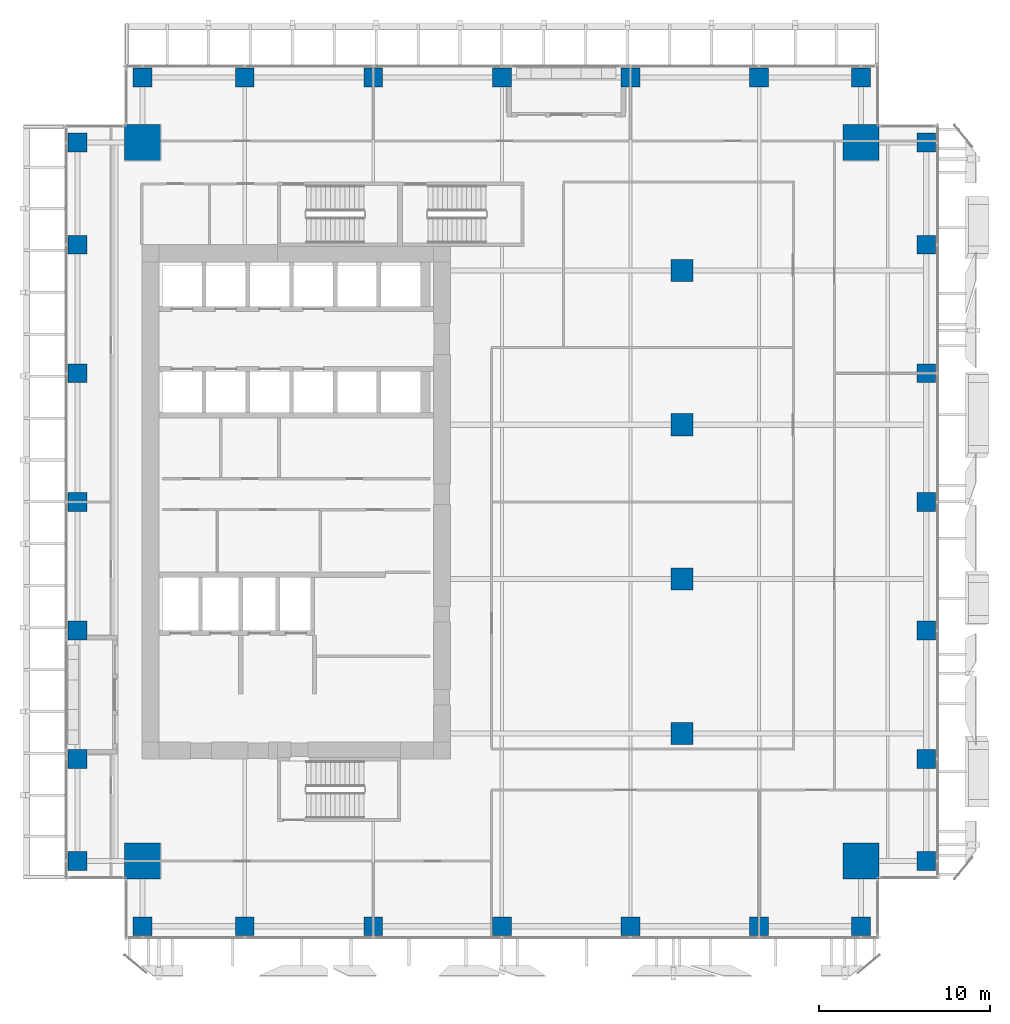
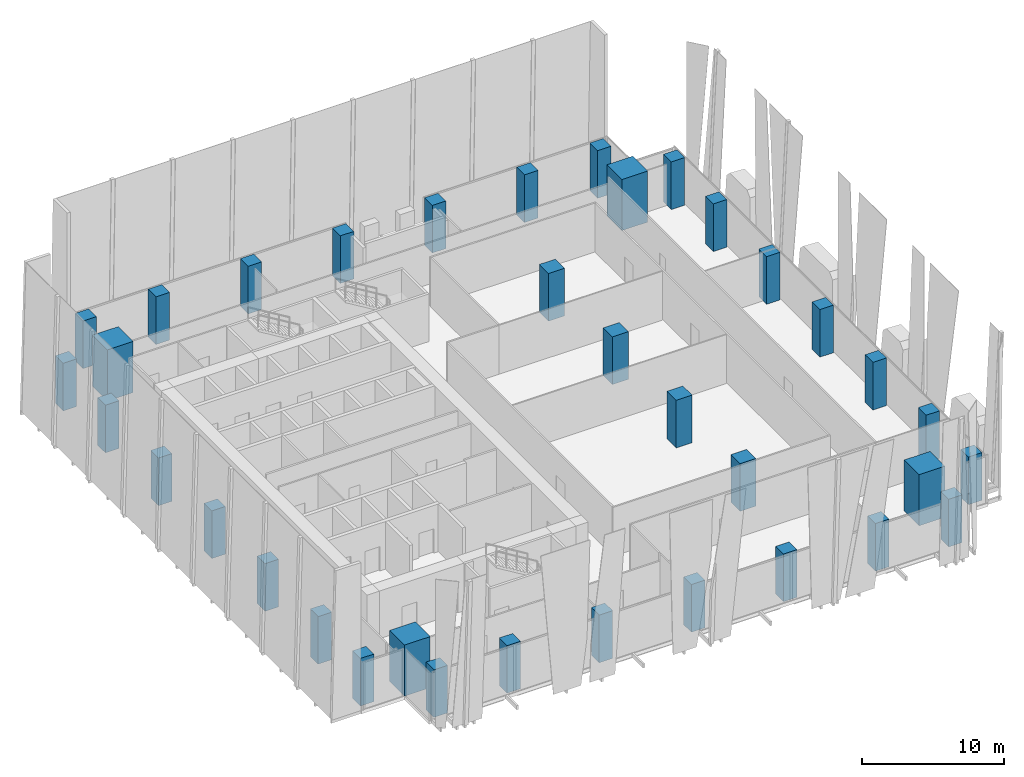
# One storey, part 1 of 34: 36 columns.
"""IFC4 building model written with IfcOpenShell, lengths in metres."""

from ifc_helpers import new_model, si_unit, direction, frame, origin, origin_2d, place, context, subcontext, project, spatial, rectangle, extrude, source, transform, mapped, material, material_profile, profile_set, type_object, element, save


model = new_model("IFC4")

# Units and contexts
model_context = context("Model", 3, precision=1e-05, world=origin(), true_north=direction((0.0, 1.0)))
body_context = subcontext(model_context, "Body", "Model", "MODEL_VIEW")
ifc_project = project(units=[si_unit("LENGTHUNIT", "METRE"), si_unit("AREAUNIT", "SQUARE_METRE"), si_unit("VOLUMEUNIT", "CUBIC_METRE"), si_unit("PLANEANGLEUNIT", "RADIAN"), si_unit("MASSUNIT", "GRAM", prefix="KILO")], contexts=[model_context])

# Site, building, storey
site_placement = place(None, origin())
site = spatial("IfcSite", under=ifc_project, at=site_placement, CompositionType="ELEMENT")
building_placement = place(site_placement, origin())
building = spatial("IfcBuilding", under=site, at=building_placement, Name="Khomas Fold Tower", CompositionType="ELEMENT")
storey_placement = place(building_placement, frame((0.0, 0.0, 114.699951171875)))
storey = spatial("IfcBuildingStorey", under=building, at=storey_placement, Name="L24", CompositionType="ELEMENT", Elevation=114.699951171875)

# Columns
ifc_material_1 = material(Name="Concrete C50/60", Category="concrete")
ifc_material_profile_1 = material_profile(ifc_material_1, rectangle(XDim=1.10009765625, YDim=1.10009765625, at=origin_2d()), Name="RC 1100x1100")
ifc_profile_set_1 = profile_set([ifc_material_profile_1], Name="Concrete C50/60")
column_type_1 = type_object("IfcColumnType", Name="RC 1100x1100 column", PredefinedType="COLUMN", material=ifc_profile_set_1)
shared_shape_1 = source(origin(), body_context, "Body", "SweptSolid", [
    extrude(rectangle(XDim=1.10009765625, YDim=1.10009765625, at=origin_2d()), origin(), (0.0, 0.0, 1.0), 4.10009765625),
])
for number, where, z_axis, x_axis, name in (
    (1, (6.050048828125, 2.25, 0.0), (0.0, 0.0, 1.0), (1.0, 0.0, 0.0), "C-3-SF2"),
    (2, (12.0, 2.25, 0.0), (0.0, 0.0, 1.0), (1.0, 0.0, 0.0), "C-6-SF2"),
    (3, (19.5, 2.25, 0.0), (0.0, 0.0, 1.0), (1.0, 0.0, 0.0), "C-8-SF2"),
    (4, (27.0, 2.25, 0.0), (0.0, 0.0, 1.0), (1.0, 0.0, 0.0), "C-9-SF2"),
    (5, (34.5, 2.25, 0.0), (0.0, 0.0, 1.0), (1.0, 0.0, 0.0), "C-10-SF2"),
    (6, (42.0, 2.25, 0.0), (0.0, 0.0, 1.0), (1.0, 0.0, 0.0), "C-13-SF2"),
    (7, (47.949951171875, 2.25, 0.0), (0.0, 0.0, 1.0), (1.0, 0.0, 0.0), "C-16-SF2"),
    (8, (51.75, 6.050048828125, 0.0), (0.0, 0.0, 1.0), (1.0, 0.0, 0.0), "C-E2-C"),
    (9, (51.75, 12.0, 0.0), (0.0, 0.0, 1.0), (1.0, 0.0, 0.0), "C-E2-F"),
    (10, (51.75, 19.5, 0.0), (0.0, 0.0, 1.0), (1.0, 0.0, 0.0), "C-E2-J"),
    (11, (51.75, 27.0, 0.0), (0.0, 0.0, 1.0), (1.0, 0.0, 0.0), "C-E2-L"),
    (12, (51.75, 34.5, 0.0), (0.0, 0.0, 1.0), (1.0, 0.0, 0.0), "C-E2-N"),
    (13, (51.75, 42.0, 0.0), (0.0, 0.0, 1.0), (1.0, 0.0, 0.0), "C-E2-R"),
    (14, (51.75, 47.949951171875, 0.0), (0.0, 0.0, 1.0), (1.0, 0.0, 0.0), "C-E2-U"),
    (15, (6.050048828125, 51.75, 0.0), (0.0, 0.0, 1.0), (1.0, 0.0, 0.0), "C-3-NF2"),
    (16, (12.0, 51.75, 0.0), (0.0, 0.0, 1.0), (1.0, 0.0, 0.0), "C-6-NF2"),
    (17, (19.5, 51.75, 0.0), (0.0, 0.0, 1.0), (1.0, 0.0, 0.0), "C-8-NF2"),
    (18, (27.0, 51.75, 0.0), (0.0, 0.0, 1.0), (1.0, 0.0, 0.0), "C-9-NF2"),
    (19, (34.5, 51.75, 0.0), (0.0, 0.0, 1.0), (1.0, 0.0, 0.0), "C-10-NF2"),
    (20, (42.0, 51.75, 0.0), (0.0, 0.0, 1.0), (1.0, 0.0, 0.0), "C-13-NF2"),
    (21, (47.949951171875, 51.75, 0.0), (0.0, 0.0, 1.0), (1.0, 0.0, 0.0), "C-16-NF2"),
    (22, (2.25, 6.050048828125, 0.0), (0.0, 0.0, 1.0), (1.0, 0.0, 0.0), "C-W2-C"),
    (23, (2.25, 12.0, 0.0), (0.0, 0.0, 1.0), (1.0, 0.0, 0.0), "C-W2-F"),
    (24, (2.25, 19.5, 0.0), (0.0, 0.0, 1.0), (1.0, 0.0, 0.0), "C-W2-J"),
    (25, (2.25, 27.0, 0.0), (0.0, 0.0, 1.0), (1.0, 0.0, 0.0), "C-W2-L"),
    (26, (2.25, 34.5, 0.0), (0.0, 0.0, 1.0), (1.0, 0.0, 0.0), "C-W2-N"),
    (27, (2.25, 42.0, 0.0), (0.0, 0.0, 1.0), (1.0, 0.0, 0.0), "C-W2-R"),
    (28, (2.25, 47.949951171875, 0.0), (0.0, 0.0, 1.0), (1.0, 0.0, 0.0), "C-W2-U"),
):
    element("IfcColumn", number, at=place(storey_placement, frame(where, z_axis=z_axis, x_axis=x_axis)), inside=storey, type_object=column_type_1, Name=name, PredefinedType="COLUMN", context=body_context, shape_type="MappedRepresentation", body=[
        mapped(shared_shape_1, transform((0.0, 0.0, 0.0))),
    ])
ifc_material_2 = material(Name="Concrete C60/75", Category="concrete")
ifc_material_profile_2 = material_profile(ifc_material_2, rectangle(XDim=1.300048828125, YDim=1.300048828125, at=origin_2d()), Name="RC 1300x1300")
ifc_profile_set_2 = profile_set([ifc_material_profile_2], Name="Concrete C60/75")
column_type_2 = type_object("IfcColumnType", Name="RC 1300x1300 column", PredefinedType="COLUMN", material=ifc_profile_set_2)
shared_shape_2 = source(origin(), body_context, "Body", "SweptSolid", [
    extrude(rectangle(XDim=1.300048828125, YDim=1.300048828125, at=origin_2d()), origin(), (0.0, 0.0, 1.0), 4.10009765625),
])
for number, where, z_axis, x_axis, name in (
    (29, (37.5, 13.5, 0.0), (0.0, 0.0, 1.0), (1.0, 0.0, 0.0), "C-11-H"),
    (30, (37.5, 22.5, 0.0), (0.0, 0.0, 1.0), (1.0, 0.0, 0.0), "C-11-K"),
    (31, (37.5, 31.5, 0.0), (0.0, 0.0, 1.0), (1.0, 0.0, 0.0), "C-11-M"),
    (32, (37.5, 40.5, 0.0), (0.0, 0.0, 1.0), (1.0, 0.0, 0.0), "C-11-P"),
):
    element("IfcColumn", number, at=place(storey_placement, frame(where, z_axis=z_axis, x_axis=x_axis)), inside=storey, type_object=column_type_2, Name=name, PredefinedType="COLUMN", context=body_context, shape_type="MappedRepresentation", body=[
        mapped(shared_shape_2, transform((0.0, 0.0, 0.0))),
    ])
ifc_material_3 = material(Name="Concrete C70/85", Category="concrete")
ifc_material_profile_3 = material_profile(ifc_material_3, rectangle(XDim=2.10009765625, YDim=2.10009765625, at=origin_2d()), Name="RC 2100x2100")
ifc_profile_set_3 = profile_set([ifc_material_profile_3], Name="Concrete C70/85")
column_type_3 = type_object("IfcColumnType", Name="RC 2100x2100 column", PredefinedType="COLUMN", material=ifc_profile_set_3)
shared_shape_3 = source(origin(), body_context, "Body", "SweptSolid", [
    extrude(rectangle(XDim=2.10009765625, YDim=2.10009765625, at=origin_2d()), origin(), (0.0, 0.0, 1.0), 4.400146484375),
])
for number, where, z_axis, x_axis, name in (
    (33, (47.949951171875, 47.949951171875, 0.0), (0.0, 0.0, 1.0), (1.0, 0.0, 0.0), "CM-NE"),
    (34, (6.050048828125, 47.949951171875, 0.0), (0.0, 0.0, 1.0), (1.0, 0.0, 0.0), "CM-NW"),
    (35, (47.949951171875, 6.050048828125, 0.0), (0.0, 0.0, 1.0), (1.0, 0.0, 0.0), "CM-SE"),
    (36, (6.050048828125, 6.050048828125, 0.0), (0.0, 0.0, 1.0), (1.0, 0.0, 0.0), "CM-SW"),
):
    element("IfcColumn", number, at=place(storey_placement, frame(where, z_axis=z_axis, x_axis=x_axis)), inside=storey, type_object=column_type_3, Name=name, PredefinedType="COLUMN", context=body_context, shape_type="MappedRepresentation", body=[
        mapped(shared_shape_3, transform((0.0, 0.0, 0.0))),
    ])

save(model, "model.ifc")
